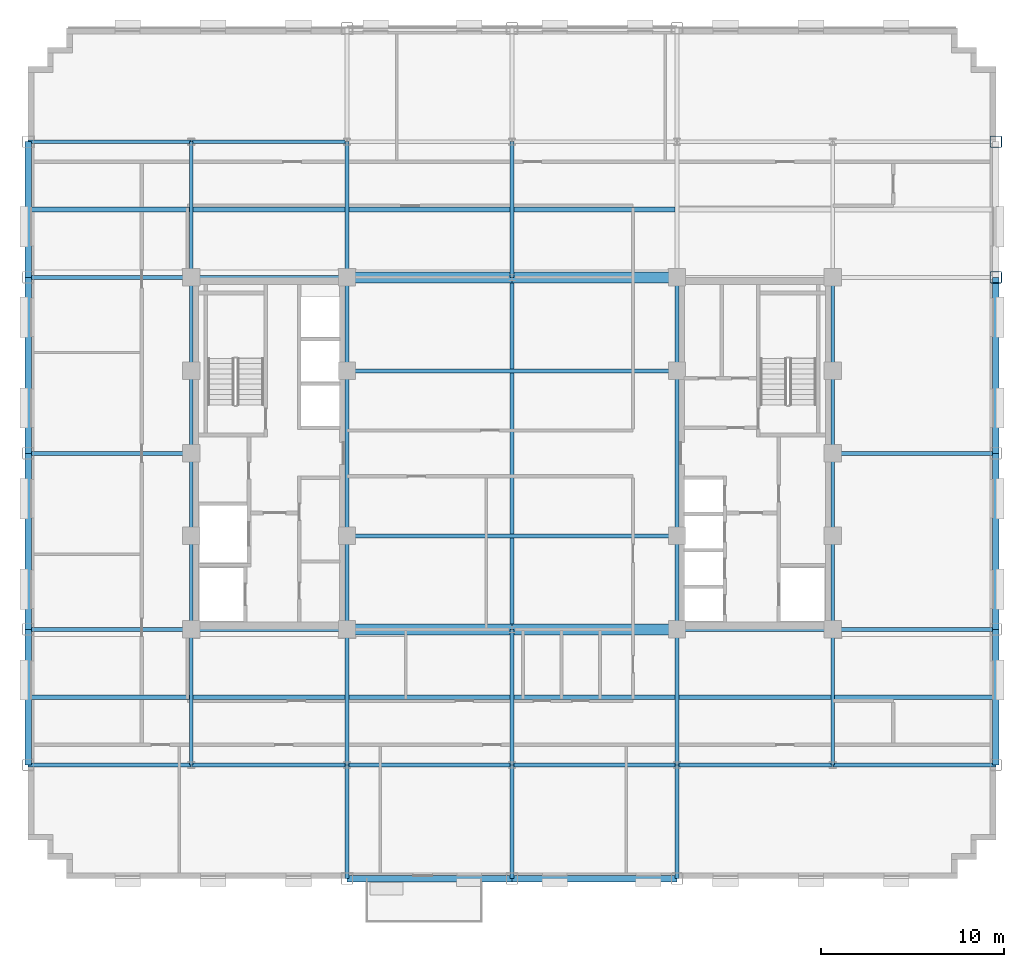
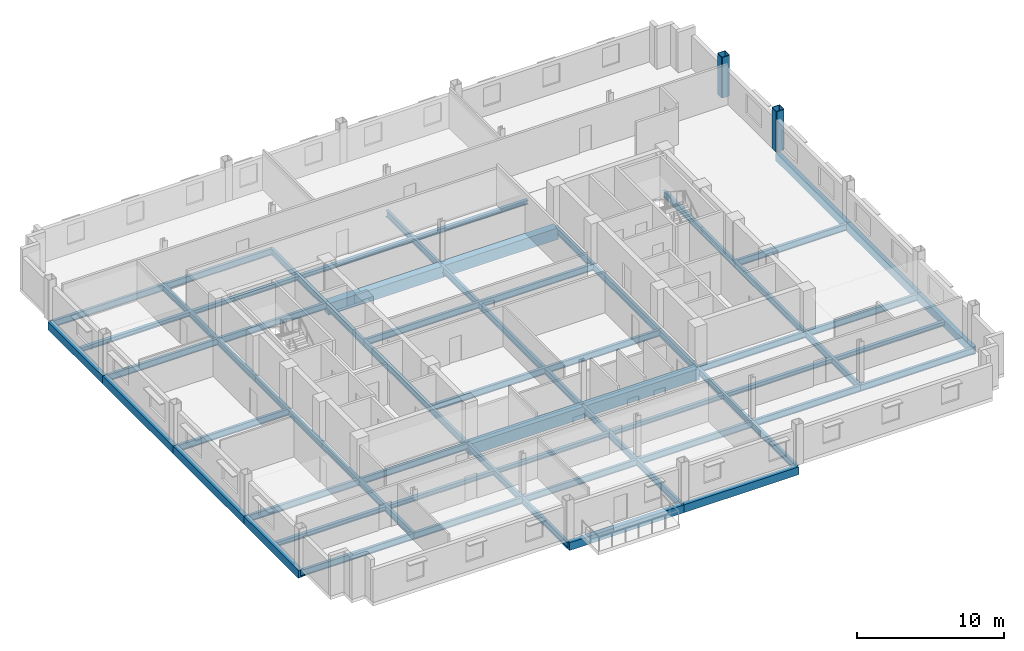
# One storey, part 4 of 13: 67 beams, 2 columns.
"""IFC4 building model written with IfcOpenShell, lengths in metres."""

from ifc_helpers import new_model, si_unit, direction, frame, origin, origin_2d, place, context, subcontext, project, spatial, rectangle, hollow_rectangle, i_section, extrude, material, material_profile, profile_set, type_object, element, save


model = new_model("IFC4")

# Units and contexts
model_context = context("Model", 3, precision=1e-05, world=origin(), true_north=direction((0.0, 1.0)))
body_context = subcontext(model_context, "Body", "Model", "MODEL_VIEW")
ifc_project = project(units=[si_unit("LENGTHUNIT", "METRE"), si_unit("AREAUNIT", "SQUARE_METRE"), si_unit("VOLUMEUNIT", "CUBIC_METRE"), si_unit("PLANEANGLEUNIT", "RADIAN"), si_unit("MASSUNIT", "GRAM", prefix="KILO")], contexts=[model_context])

# Site, building, storey
site_placement = place(None, origin())
site = spatial("IfcSite", under=ifc_project, at=site_placement, CompositionType="ELEMENT")
building_placement = place(site_placement, origin())
building = spatial("IfcBuilding", under=site, at=building_placement, Name="Nuvemarco Arch Tower", CompositionType="ELEMENT")
storey_placement = place(building_placement, frame((0.0, 0.0, 153.050048828125)))
storey = spatial("IfcBuildingStorey", under=building, at=storey_placement, Name="L40", CompositionType="ELEMENT", Elevation=153.050048828125)

# Columns
ifc_material_1 = material(Name="Steel S355", Category="steel")
ifc_material_profile_1 = material_profile(ifc_material_1, hollow_rectangle(XDim=0.64990234375, YDim=0.64990234375, WallThickness=0.0400390625, InnerFilletRadius=0.0400390625, OuterFilletRadius=0.080078125, at=origin_2d()), Name="SHS650x650x40")
ifc_profile_set_1 = profile_set([ifc_material_profile_1], Name="Steel S355")
column_type = type_object("IfcColumnType", Name="COL-EXO-650", PredefinedType="COLUMN", material=ifc_profile_set_1)
for number, where, z_axis, x_axis, name in (
    (1, (26.39990234375, 9.60009765625, 0.0), (0.0, 0.0, 1.0), (1.0, 0.0, 0.0), "L40 column CX_+26.4_+9.6"),
    (2, (26.39990234375, 17.0, 0.0), (0.0, 0.0, 1.0), (1.0, 0.0, 0.0), "L40 column CX_+26.4_+17.0"),
):
    element("IfcColumn", number, at=place(storey_placement, frame(where, z_axis=z_axis, x_axis=x_axis)), inside=storey, type_object=column_type, Name=name, PredefinedType="COLUMN", context=body_context, shape_type="SweptSolid", body=[
        extrude(hollow_rectangle(XDim=0.64990234375, YDim=0.64990234375, WallThickness=0.0400390625, InnerFilletRadius=0.0400390625, OuterFilletRadius=0.080078125, at=origin_2d()), origin(), (0.0, 0.0, 1.0), 3.369873046875),
    ])

# Beams
ifc_material_2 = material(Name="Concrete C60/75", Category="concrete")
ifc_material_profile_2 = material_profile(ifc_material_2, rectangle(XDim=0.60009765625, YDim=0.949951171875, at=origin_2d()), Name="RC-BM-600x950")
ifc_profile_set_2 = profile_set([ifc_material_profile_2], Name="Concrete C60/75")
beam_type_1 = type_object("IfcBeamType", Name="BM-COUP-RC", PredefinedType="LINTEL", material=ifc_profile_set_2)
for number, where, z_axis, x_axis, name in (
    (3, (-9.0, -9.60009765625, -0.755126953125), (1.0, 0.0, 0.0), (0.0, 1.0, 0.0), "L40 structural beam BGEW_L40_0_-9.6_-9.0"),
    (4, (0.0, -9.60009765625, -0.755126953125), (1.0, 0.0, 0.0), (0.0, 1.0, 0.0), "L40 structural beam BGEW_L40_0_-9.6_+0.0"),
    (5, (-9.0, 9.60009765625, -0.755126953125), (1.0, 0.0, 0.0), (0.0, 1.0, 0.0), "L40 structural beam BGEW_L40_0_+9.6_-9.0"),
    (6, (0.0, 9.60009765625, -0.755126953125), (1.0, 0.0, 0.0), (0.0, 1.0, 0.0), "L40 structural beam BGEW_L40_0_+9.6_+0.0"),
):
    element("IfcBeam", number, at=place(storey_placement, frame(where, z_axis=z_axis, x_axis=x_axis)), inside=storey, type_object=beam_type_1, Name=name, PredefinedType="LINTEL", context=body_context, shape_type="SweptSolid", body=[
        extrude(rectangle(XDim=0.60009765625, YDim=0.949951171875, at=origin_2d()), origin(), (0.0, 0.0, 1.0), 9.0),
    ])
ifc_material_profile_3 = material_profile(ifc_material_1, i_section(OverallWidth=0.2109375, OverallDepth=0.5390625, WebThickness=0.01171875, FlangeThickness=0.018798828125, FilletRadius=0.01611328125, at=origin_2d()), Name="W530x109")
ifc_profile_set_3 = profile_set([ifc_material_profile_3], Name="Steel S355")
beam_type_2 = type_object("IfcBeamType", Name="BM-GIRD-530", PredefinedType="BEAM", material=ifc_profile_set_3)
beam_1_placement = place(storey_placement, frame((-17.5, -17.0, -0.549560546875), z_axis=(0.0, 1.0, 0.0), x_axis=(-1.0, 0.0, 0.0)))
element("IfcBeam", 7, at=beam_1_placement, inside=storey, type_object=beam_type_2, Name="L40 structural beam BGNS_L40_0_-17.5_-17.0", PredefinedType="BEAM", context=body_context, shape_type="SweptSolid", body=[
    extrude(i_section(OverallWidth=0.2109375, OverallDepth=0.5390625, WebThickness=0.01171875, FlangeThickness=0.018798828125, FilletRadius=0.01611328125, at=origin_2d()), origin(), (0.0, 0.0, 1.0), 7.39990234375),
])
beam_2_placement = place(storey_placement, frame((-17.5, -9.60009765625, -0.549560546875), z_axis=(0.0, 1.0, 0.0), x_axis=(-1.0, 0.0, 0.0)))
element("IfcBeam", 8, at=beam_2_placement, inside=storey, type_object=beam_type_2, Name="L40 structural beam BGNS_L40_0_-17.5_-9.6", PredefinedType="BEAM", context=body_context, shape_type="SweptSolid", body=[
    extrude(i_section(OverallWidth=0.2109375, OverallDepth=0.5390625, WebThickness=0.01171875, FlangeThickness=0.018798828125, FilletRadius=0.01611328125, at=origin_2d()), origin(), (0.0, 0.0, 1.0), 5.10009765625),
])
for number, where, z_axis, x_axis, name in (
    (9, (-17.5, -4.5, -0.549560546875), (0.0, 1.0, 0.0), (-1.0, 0.0, 0.0), "L40 structural beam BGNS_L40_0_-17.5_-4.5"),
    (10, (-17.5, 0.0, -0.549560546875), (0.0, 1.0, 0.0), (-1.0, 0.0, 0.0), "L40 structural beam BGNS_L40_0_-17.5_+0.0"),
):
    element("IfcBeam", number, at=place(storey_placement, frame(where, z_axis=z_axis, x_axis=x_axis)), inside=storey, type_object=beam_type_2, Name=name, PredefinedType="BEAM", context=body_context, shape_type="SweptSolid", body=[
        extrude(i_section(OverallWidth=0.2109375, OverallDepth=0.5390625, WebThickness=0.01171875, FlangeThickness=0.018798828125, FilletRadius=0.01611328125, at=origin_2d()), origin(), (0.0, 0.0, 1.0), 4.5),
    ])
beam_3_placement = place(storey_placement, frame((-17.5, 4.5, -0.549560546875), z_axis=(0.0, 1.0, 0.0), x_axis=(-1.0, 0.0, 0.0)))
element("IfcBeam", 11, at=beam_3_placement, inside=storey, type_object=beam_type_2, Name="L40 structural beam BGNS_L40_0_-17.5_+4.5", PredefinedType="BEAM", context=body_context, shape_type="SweptSolid", body=[
    extrude(i_section(OverallWidth=0.2109375, OverallDepth=0.5390625, WebThickness=0.01171875, FlangeThickness=0.018798828125, FilletRadius=0.01611328125, at=origin_2d()), origin(), (0.0, 0.0, 1.0), 5.10009765625),
])
beam_4_placement = place(storey_placement, frame((-17.5, 9.60009765625, -0.549560546875), z_axis=(0.0, 1.0, 0.0), x_axis=(-1.0, 0.0, 0.0)))
element("IfcBeam", 12, at=beam_4_placement, inside=storey, type_object=beam_type_2, Name="L40 structural beam BGNS_L40_0_-17.5_+9.6", PredefinedType="BEAM", context=body_context, shape_type="SweptSolid", body=[
    extrude(i_section(OverallWidth=0.2109375, OverallDepth=0.5390625, WebThickness=0.01171875, FlangeThickness=0.018798828125, FilletRadius=0.01611328125, at=origin_2d()), origin(), (0.0, 0.0, 1.0), 7.39990234375),
])
beam_5_placement = place(storey_placement, frame((-9.0, -23.199951171875, -0.549560546875), z_axis=(0.0, 1.0, 0.0), x_axis=(-1.0, 0.0, 0.0)))
element("IfcBeam", 13, at=beam_5_placement, inside=storey, type_object=beam_type_2, Name="L40 structural beam BGNS_L40_0_-9.0_-23.2", PredefinedType="BEAM", context=body_context, shape_type="SweptSolid", body=[
    extrude(i_section(OverallWidth=0.2109375, OverallDepth=0.5390625, WebThickness=0.01171875, FlangeThickness=0.018798828125, FilletRadius=0.01611328125, at=origin_2d()), origin(), (0.0, 0.0, 1.0), 6.199951171875),
])
beam_6_placement = place(storey_placement, frame((-9.0, -17.0, -0.549560546875), z_axis=(0.0, 1.0, 0.0), x_axis=(-1.0, 0.0, 0.0)))
element("IfcBeam", 14, at=beam_6_placement, inside=storey, type_object=beam_type_2, Name="L40 structural beam BGNS_L40_0_-9.0_-17.0", PredefinedType="BEAM", context=body_context, shape_type="SweptSolid", body=[
    extrude(i_section(OverallWidth=0.2109375, OverallDepth=0.5390625, WebThickness=0.01171875, FlangeThickness=0.018798828125, FilletRadius=0.01611328125, at=origin_2d()), origin(), (0.0, 0.0, 1.0), 7.39990234375),
])
beam_7_placement = place(storey_placement, frame((-9.0, -9.60009765625, -0.549560546875), z_axis=(0.0, 1.0, 0.0), x_axis=(-1.0, 0.0, 0.0)))
element("IfcBeam", 15, at=beam_7_placement, inside=storey, type_object=beam_type_2, Name="L40 structural beam BGNS_L40_0_-9.0_-9.6", PredefinedType="BEAM", context=body_context, shape_type="SweptSolid", body=[
    extrude(i_section(OverallWidth=0.2109375, OverallDepth=0.5390625, WebThickness=0.01171875, FlangeThickness=0.018798828125, FilletRadius=0.01611328125, at=origin_2d()), origin(), (0.0, 0.0, 1.0), 5.10009765625),
])
beam_8_placement = place(storey_placement, frame((-9.0, -4.5, -0.549560546875), z_axis=(0.0, 1.0, 0.0), x_axis=(-1.0, 0.0, 0.0)))
element("IfcBeam", 16, at=beam_8_placement, inside=storey, type_object=beam_type_2, Name="L40 structural beam BGNS_L40_0_-9.0_-4.5", PredefinedType="BEAM", context=body_context, shape_type="SweptSolid", body=[
    extrude(i_section(OverallWidth=0.2109375, OverallDepth=0.5390625, WebThickness=0.01171875, FlangeThickness=0.018798828125, FilletRadius=0.01611328125, at=origin_2d()), origin(), (0.0, 0.0, 1.0), 9.0),
])
beam_9_placement = place(storey_placement, frame((-9.0, 4.5, -0.549560546875), z_axis=(0.0, 1.0, 0.0), x_axis=(-1.0, 0.0, 0.0)))
element("IfcBeam", 17, at=beam_9_placement, inside=storey, type_object=beam_type_2, Name="L40 structural beam BGNS_L40_0_-9.0_+4.5", PredefinedType="BEAM", context=body_context, shape_type="SweptSolid", body=[
    extrude(i_section(OverallWidth=0.2109375, OverallDepth=0.5390625, WebThickness=0.01171875, FlangeThickness=0.018798828125, FilletRadius=0.01611328125, at=origin_2d()), origin(), (0.0, 0.0, 1.0), 5.10009765625),
])
beam_10_placement = place(storey_placement, frame((-9.0, 9.60009765625, -0.549560546875), z_axis=(0.0, 1.0, 0.0), x_axis=(-1.0, 0.0, 0.0)))
element("IfcBeam", 18, at=beam_10_placement, inside=storey, type_object=beam_type_2, Name="L40 structural beam BGNS_L40_0_-9.0_+9.6", PredefinedType="BEAM", context=body_context, shape_type="SweptSolid", body=[
    extrude(i_section(OverallWidth=0.2109375, OverallDepth=0.5390625, WebThickness=0.01171875, FlangeThickness=0.018798828125, FilletRadius=0.01611328125, at=origin_2d()), origin(), (0.0, 0.0, 1.0), 7.39990234375),
])
beam_11_placement = place(storey_placement, frame((0.0, -23.199951171875, -0.549560546875), z_axis=(0.0, 1.0, 0.0), x_axis=(-1.0, 0.0, 0.0)))
element("IfcBeam", 19, at=beam_11_placement, inside=storey, type_object=beam_type_2, Name="L40 structural beam BGNS_L40_0_+0.0_-23.2", PredefinedType="BEAM", context=body_context, shape_type="SweptSolid", body=[
    extrude(i_section(OverallWidth=0.2109375, OverallDepth=0.5390625, WebThickness=0.01171875, FlangeThickness=0.018798828125, FilletRadius=0.01611328125, at=origin_2d()), origin(), (0.0, 0.0, 1.0), 6.199951171875),
])
beam_12_placement = place(storey_placement, frame((0.0, -17.0, -0.549560546875), z_axis=(0.0, 1.0, 0.0), x_axis=(-1.0, 0.0, 0.0)))
element("IfcBeam", 20, at=beam_12_placement, inside=storey, type_object=beam_type_2, Name="L40 structural beam BGNS_L40_0_+0.0_-17.0", PredefinedType="BEAM", context=body_context, shape_type="SweptSolid", body=[
    extrude(i_section(OverallWidth=0.2109375, OverallDepth=0.5390625, WebThickness=0.01171875, FlangeThickness=0.018798828125, FilletRadius=0.01611328125, at=origin_2d()), origin(), (0.0, 0.0, 1.0), 7.39990234375),
])
beam_13_placement = place(storey_placement, frame((0.0, -9.60009765625, -0.549560546875), z_axis=(0.0, 1.0, 0.0), x_axis=(-1.0, 0.0, 0.0)))
element("IfcBeam", 21, at=beam_13_placement, inside=storey, type_object=beam_type_2, Name="L40 structural beam BGNS_L40_0_+0.0_-9.6", PredefinedType="BEAM", context=body_context, shape_type="SweptSolid", body=[
    extrude(i_section(OverallWidth=0.2109375, OverallDepth=0.5390625, WebThickness=0.01171875, FlangeThickness=0.018798828125, FilletRadius=0.01611328125, at=origin_2d()), origin(), (0.0, 0.0, 1.0), 19.2001953125),
])
beam_14_placement = place(storey_placement, frame((0.0, 9.60009765625, -0.549560546875), z_axis=(0.0, 1.0, 0.0), x_axis=(-1.0, 0.0, 0.0)))
element("IfcBeam", 22, at=beam_14_placement, inside=storey, type_object=beam_type_2, Name="L40 structural beam BGNS_L40_0_+0.0_+9.6", PredefinedType="BEAM", context=body_context, shape_type="SweptSolid", body=[
    extrude(i_section(OverallWidth=0.2109375, OverallDepth=0.5390625, WebThickness=0.01171875, FlangeThickness=0.018798828125, FilletRadius=0.01611328125, at=origin_2d()), origin(), (0.0, 0.0, 1.0), 7.39990234375),
])
beam_15_placement = place(storey_placement, frame((9.0, -23.199951171875, -0.549560546875), z_axis=(0.0, 1.0, 0.0), x_axis=(-1.0, 0.0, 0.0)))
element("IfcBeam", 23, at=beam_15_placement, inside=storey, type_object=beam_type_2, Name="L40 structural beam BGNS_L40_0_+9.0_-23.2", PredefinedType="BEAM", context=body_context, shape_type="SweptSolid", body=[
    extrude(i_section(OverallWidth=0.2109375, OverallDepth=0.5390625, WebThickness=0.01171875, FlangeThickness=0.018798828125, FilletRadius=0.01611328125, at=origin_2d()), origin(), (0.0, 0.0, 1.0), 6.199951171875),
])
beam_16_placement = place(storey_placement, frame((9.0, -17.0, -0.549560546875), z_axis=(0.0, 1.0, 0.0), x_axis=(-1.0, 0.0, 0.0)))
element("IfcBeam", 24, at=beam_16_placement, inside=storey, type_object=beam_type_2, Name="L40 structural beam BGNS_L40_0_+9.0_-17.0", PredefinedType="BEAM", context=body_context, shape_type="SweptSolid", body=[
    extrude(i_section(OverallWidth=0.2109375, OverallDepth=0.5390625, WebThickness=0.01171875, FlangeThickness=0.018798828125, FilletRadius=0.01611328125, at=origin_2d()), origin(), (0.0, 0.0, 1.0), 7.39990234375),
])
beam_17_placement = place(storey_placement, frame((9.0, -9.60009765625, -0.549560546875), z_axis=(0.0, 1.0, 0.0), x_axis=(-1.0, 0.0, 0.0)))
element("IfcBeam", 25, at=beam_17_placement, inside=storey, type_object=beam_type_2, Name="L40 structural beam BGNS_L40_0_+9.0_-9.6", PredefinedType="BEAM", context=body_context, shape_type="SweptSolid", body=[
    extrude(i_section(OverallWidth=0.2109375, OverallDepth=0.5390625, WebThickness=0.01171875, FlangeThickness=0.018798828125, FilletRadius=0.01611328125, at=origin_2d()), origin(), (0.0, 0.0, 1.0), 5.10009765625),
])
beam_18_placement = place(storey_placement, frame((9.0, -4.5, -0.549560546875), z_axis=(0.0, 1.0, 0.0), x_axis=(-1.0, 0.0, 0.0)))
element("IfcBeam", 26, at=beam_18_placement, inside=storey, type_object=beam_type_2, Name="L40 structural beam BGNS_L40_0_+9.0_-4.5", PredefinedType="BEAM", context=body_context, shape_type="SweptSolid", body=[
    extrude(i_section(OverallWidth=0.2109375, OverallDepth=0.5390625, WebThickness=0.01171875, FlangeThickness=0.018798828125, FilletRadius=0.01611328125, at=origin_2d()), origin(), (0.0, 0.0, 1.0), 9.0),
])
beam_19_placement = place(storey_placement, frame((9.0, 4.5, -0.549560546875), z_axis=(0.0, 1.0, 0.0), x_axis=(-1.0, 0.0, 0.0)))
element("IfcBeam", 27, at=beam_19_placement, inside=storey, type_object=beam_type_2, Name="L40 structural beam BGNS_L40_0_+9.0_+4.5", PredefinedType="BEAM", context=body_context, shape_type="SweptSolid", body=[
    extrude(i_section(OverallWidth=0.2109375, OverallDepth=0.5390625, WebThickness=0.01171875, FlangeThickness=0.018798828125, FilletRadius=0.01611328125, at=origin_2d()), origin(), (0.0, 0.0, 1.0), 5.10009765625),
])
beam_20_placement = place(storey_placement, frame((17.5, -17.0, -0.549560546875), z_axis=(0.0, 1.0, 0.0), x_axis=(-1.0, 0.0, 0.0)))
element("IfcBeam", 28, at=beam_20_placement, inside=storey, type_object=beam_type_2, Name="L40 structural beam BGNS_L40_0_+17.5_-17.0", PredefinedType="BEAM", context=body_context, shape_type="SweptSolid", body=[
    extrude(i_section(OverallWidth=0.2109375, OverallDepth=0.5390625, WebThickness=0.01171875, FlangeThickness=0.018798828125, FilletRadius=0.01611328125, at=origin_2d()), origin(), (0.0, 0.0, 1.0), 7.39990234375),
])
beam_21_placement = place(storey_placement, frame((17.5, -9.60009765625, -0.549560546875), z_axis=(0.0, 1.0, 0.0), x_axis=(-1.0, 0.0, 0.0)))
element("IfcBeam", 29, at=beam_21_placement, inside=storey, type_object=beam_type_2, Name="L40 structural beam BGNS_L40_0_+17.5_-9.6", PredefinedType="BEAM", context=body_context, shape_type="SweptSolid", body=[
    extrude(i_section(OverallWidth=0.2109375, OverallDepth=0.5390625, WebThickness=0.01171875, FlangeThickness=0.018798828125, FilletRadius=0.01611328125, at=origin_2d()), origin(), (0.0, 0.0, 1.0), 5.10009765625),
])
for number, where, z_axis, x_axis, name in (
    (30, (17.5, -4.5, -0.549560546875), (0.0, 1.0, 0.0), (-1.0, 0.0, 0.0), "L40 structural beam BGNS_L40_0_+17.5_-4.5"),
    (31, (17.5, 0.0, -0.549560546875), (0.0, 1.0, 0.0), (-1.0, 0.0, 0.0), "L40 structural beam BGNS_L40_0_+17.5_+0.0"),
):
    element("IfcBeam", number, at=place(storey_placement, frame(where, z_axis=z_axis, x_axis=x_axis)), inside=storey, type_object=beam_type_2, Name=name, PredefinedType="BEAM", context=body_context, shape_type="SweptSolid", body=[
        extrude(i_section(OverallWidth=0.2109375, OverallDepth=0.5390625, WebThickness=0.01171875, FlangeThickness=0.018798828125, FilletRadius=0.01611328125, at=origin_2d()), origin(), (0.0, 0.0, 1.0), 4.5),
    ])
beam_22_placement = place(storey_placement, frame((17.5, 4.5, -0.549560546875), z_axis=(0.0, 1.0, 0.0), x_axis=(-1.0, 0.0, 0.0)))
element("IfcBeam", 32, at=beam_22_placement, inside=storey, type_object=beam_type_2, Name="L40 structural beam BGNS_L40_0_+17.5_+4.5", PredefinedType="BEAM", context=body_context, shape_type="SweptSolid", body=[
    extrude(i_section(OverallWidth=0.2109375, OverallDepth=0.5390625, WebThickness=0.01171875, FlangeThickness=0.018798828125, FilletRadius=0.01611328125, at=origin_2d()), origin(), (0.0, 0.0, 1.0), 5.10009765625),
])
beam_23_placement = place(storey_placement, frame((-26.39990234375, -17.0, -0.549560546875), z_axis=(1.0, 0.0, 0.0), x_axis=(0.0, 1.0, 0.0)))
element("IfcBeam", 33, at=beam_23_placement, inside=storey, type_object=beam_type_2, Name="L40 structural beam BGEW_L40_0_-17.0_-26.4", PredefinedType="BEAM", context=body_context, shape_type="SweptSolid", body=[
    extrude(i_section(OverallWidth=0.2109375, OverallDepth=0.5390625, WebThickness=0.01171875, FlangeThickness=0.018798828125, FilletRadius=0.01611328125, at=origin_2d()), origin(), (0.0, 0.0, 1.0), 8.89990234375),
])
beam_24_placement = place(storey_placement, frame((-17.5, -17.0, -0.549560546875), z_axis=(1.0, 0.0, 0.0), x_axis=(0.0, 1.0, 0.0)))
element("IfcBeam", 34, at=beam_24_placement, inside=storey, type_object=beam_type_2, Name="L40 structural beam BGEW_L40_0_-17.0_-17.5", PredefinedType="BEAM", context=body_context, shape_type="SweptSolid", body=[
    extrude(i_section(OverallWidth=0.2109375, OverallDepth=0.5390625, WebThickness=0.01171875, FlangeThickness=0.018798828125, FilletRadius=0.01611328125, at=origin_2d()), origin(), (0.0, 0.0, 1.0), 8.5),
])
for number, where, z_axis, x_axis, name in (
    (35, (-9.0, -17.0, -0.549560546875), (1.0, 0.0, 0.0), (0.0, 1.0, 0.0), "L40 structural beam BGEW_L40_0_-17.0_-9.0"),
    (36, (0.0, -17.0, -0.549560546875), (1.0, 0.0, 0.0), (0.0, 1.0, 0.0), "L40 structural beam BGEW_L40_0_-17.0_+0.0"),
):
    element("IfcBeam", number, at=place(storey_placement, frame(where, z_axis=z_axis, x_axis=x_axis)), inside=storey, type_object=beam_type_2, Name=name, PredefinedType="BEAM", context=body_context, shape_type="SweptSolid", body=[
        extrude(i_section(OverallWidth=0.2109375, OverallDepth=0.5390625, WebThickness=0.01171875, FlangeThickness=0.018798828125, FilletRadius=0.01611328125, at=origin_2d()), origin(), (0.0, 0.0, 1.0), 9.0),
    ])
beam_25_placement = place(storey_placement, frame((9.0, -17.0, -0.549560546875), z_axis=(1.0, 0.0, 0.0), x_axis=(0.0, 1.0, 0.0)))
element("IfcBeam", 37, at=beam_25_placement, inside=storey, type_object=beam_type_2, Name="L40 structural beam BGEW_L40_0_-17.0_+9.0", PredefinedType="BEAM", context=body_context, shape_type="SweptSolid", body=[
    extrude(i_section(OverallWidth=0.2109375, OverallDepth=0.5390625, WebThickness=0.01171875, FlangeThickness=0.018798828125, FilletRadius=0.01611328125, at=origin_2d()), origin(), (0.0, 0.0, 1.0), 8.5),
])
for number, where, z_axis, x_axis, name in (
    (38, (17.5, -17.0, -0.549560546875), (1.0, 0.0, 0.0), (0.0, 1.0, 0.0), "L40 structural beam BGEW_L40_0_-17.0_+17.5"),
    (39, (-26.39990234375, -9.60009765625, -0.549560546875), (1.0, 0.0, 0.0), (0.0, 1.0, 0.0), "L40 structural beam BGEW_L40_0_-9.6_-26.4"),
):
    element("IfcBeam", number, at=place(storey_placement, frame(where, z_axis=z_axis, x_axis=x_axis)), inside=storey, type_object=beam_type_2, Name=name, PredefinedType="BEAM", context=body_context, shape_type="SweptSolid", body=[
        extrude(i_section(OverallWidth=0.2109375, OverallDepth=0.5390625, WebThickness=0.01171875, FlangeThickness=0.018798828125, FilletRadius=0.01611328125, at=origin_2d()), origin(), (0.0, 0.0, 1.0), 8.89990234375),
    ])
for number, where, z_axis, x_axis, name in (
    (40, (-17.5, -9.60009765625, -0.549560546875), (1.0, 0.0, 0.0), (0.0, 1.0, 0.0), "L40 structural beam BGEW_L40_0_-9.6_-17.5"),
    (41, (9.0, -9.60009765625, -0.549560546875), (1.0, 0.0, 0.0), (0.0, 1.0, 0.0), "L40 structural beam BGEW_L40_0_-9.6_+9.0"),
):
    element("IfcBeam", number, at=place(storey_placement, frame(where, z_axis=z_axis, x_axis=x_axis)), inside=storey, type_object=beam_type_2, Name=name, PredefinedType="BEAM", context=body_context, shape_type="SweptSolid", body=[
        extrude(i_section(OverallWidth=0.2109375, OverallDepth=0.5390625, WebThickness=0.01171875, FlangeThickness=0.018798828125, FilletRadius=0.01611328125, at=origin_2d()), origin(), (0.0, 0.0, 1.0), 8.5),
    ])
beam_26_placement = place(storey_placement, frame((17.5, -9.60009765625, -0.549560546875), z_axis=(1.0, 0.0, 0.0), x_axis=(0.0, 1.0, 0.0)))
element("IfcBeam", 42, at=beam_26_placement, inside=storey, type_object=beam_type_2, Name="L40 structural beam BGEW_L40_0_-9.6_+17.5", PredefinedType="BEAM", context=body_context, shape_type="SweptSolid", body=[
    extrude(i_section(OverallWidth=0.2109375, OverallDepth=0.5390625, WebThickness=0.01171875, FlangeThickness=0.018798828125, FilletRadius=0.01611328125, at=origin_2d()), origin(), (0.0, 0.0, 1.0), 8.89990234375),
])
beam_27_placement = place(storey_placement, frame((-9.0, -4.5, -0.549560546875), z_axis=(1.0, 0.0, 0.0), x_axis=(0.0, 1.0, 0.0)))
element("IfcBeam", 43, at=beam_27_placement, inside=storey, type_object=beam_type_2, Name="L40 structural beam BGEW_L40_0_-4.5_-9.0", PredefinedType="BEAM", context=body_context, shape_type="SweptSolid", body=[
    extrude(i_section(OverallWidth=0.2109375, OverallDepth=0.5390625, WebThickness=0.01171875, FlangeThickness=0.018798828125, FilletRadius=0.01611328125, at=origin_2d()), origin(), (0.0, 0.0, 1.0), 18.0),
])
for number, where, z_axis, x_axis, name in (
    (44, (-26.39990234375, 0.0, -0.549560546875), (1.0, 0.0, 0.0), (0.0, 1.0, 0.0), "L40 structural beam BGEW_L40_0_+0.0_-26.4"),
    (45, (17.5, 0.0, -0.549560546875), (1.0, 0.0, 0.0), (0.0, 1.0, 0.0), "L40 structural beam BGEW_L40_0_+0.0_+17.5"),
):
    element("IfcBeam", number, at=place(storey_placement, frame(where, z_axis=z_axis, x_axis=x_axis)), inside=storey, type_object=beam_type_2, Name=name, PredefinedType="BEAM", context=body_context, shape_type="SweptSolid", body=[
        extrude(i_section(OverallWidth=0.2109375, OverallDepth=0.5390625, WebThickness=0.01171875, FlangeThickness=0.018798828125, FilletRadius=0.01611328125, at=origin_2d()), origin(), (0.0, 0.0, 1.0), 8.89990234375),
    ])
beam_28_placement = place(storey_placement, frame((-9.0, 4.5, -0.549560546875), z_axis=(1.0, 0.0, 0.0), x_axis=(0.0, 1.0, 0.0)))
element("IfcBeam", 46, at=beam_28_placement, inside=storey, type_object=beam_type_2, Name="L40 structural beam BGEW_L40_0_+4.5_-9.0", PredefinedType="BEAM", context=body_context, shape_type="SweptSolid", body=[
    extrude(i_section(OverallWidth=0.2109375, OverallDepth=0.5390625, WebThickness=0.01171875, FlangeThickness=0.018798828125, FilletRadius=0.01611328125, at=origin_2d()), origin(), (0.0, 0.0, 1.0), 18.0),
])
beam_29_placement = place(storey_placement, frame((-26.39990234375, 9.60009765625, -0.549560546875), z_axis=(1.0, 0.0, 0.0), x_axis=(0.0, 1.0, 0.0)))
element("IfcBeam", 47, at=beam_29_placement, inside=storey, type_object=beam_type_2, Name="L40 structural beam BGEW_L40_0_+9.6_-26.4", PredefinedType="BEAM", context=body_context, shape_type="SweptSolid", body=[
    extrude(i_section(OverallWidth=0.2109375, OverallDepth=0.5390625, WebThickness=0.01171875, FlangeThickness=0.018798828125, FilletRadius=0.01611328125, at=origin_2d()), origin(), (0.0, 0.0, 1.0), 8.89990234375),
])
beam_30_placement = place(storey_placement, frame((-17.5, 9.60009765625, -0.549560546875), z_axis=(1.0, 0.0, 0.0), x_axis=(0.0, 1.0, 0.0)))
element("IfcBeam", 48, at=beam_30_placement, inside=storey, type_object=beam_type_2, Name="L40 structural beam BGEW_L40_0_+9.6_-17.5", PredefinedType="BEAM", context=body_context, shape_type="SweptSolid", body=[
    extrude(i_section(OverallWidth=0.2109375, OverallDepth=0.5390625, WebThickness=0.01171875, FlangeThickness=0.018798828125, FilletRadius=0.01611328125, at=origin_2d()), origin(), (0.0, 0.0, 1.0), 8.5),
])
beam_31_placement = place(storey_placement, frame((-26.39990234375, 17.0, -0.549560546875), z_axis=(1.0, 0.0, 0.0), x_axis=(0.0, 1.0, 0.0)))
element("IfcBeam", 49, at=beam_31_placement, inside=storey, type_object=beam_type_2, Name="L40 structural beam BGEW_L40_0_+17.0_-26.4", PredefinedType="BEAM", context=body_context, shape_type="SweptSolid", body=[
    extrude(i_section(OverallWidth=0.2109375, OverallDepth=0.5390625, WebThickness=0.01171875, FlangeThickness=0.018798828125, FilletRadius=0.01611328125, at=origin_2d()), origin(), (0.0, 0.0, 1.0), 8.89990234375),
])
beam_32_placement = place(storey_placement, frame((-17.5, 17.0, -0.549560546875), z_axis=(1.0, 0.0, 0.0), x_axis=(0.0, 1.0, 0.0)))
element("IfcBeam", 50, at=beam_32_placement, inside=storey, type_object=beam_type_2, Name="L40 structural beam BGEW_L40_0_+17.0_-17.5", PredefinedType="BEAM", context=body_context, shape_type="SweptSolid", body=[
    extrude(i_section(OverallWidth=0.2109375, OverallDepth=0.5390625, WebThickness=0.01171875, FlangeThickness=0.018798828125, FilletRadius=0.01611328125, at=origin_2d()), origin(), (0.0, 0.0, 1.0), 8.5),
])
ifc_material_profile_4 = material_profile(ifc_material_1, i_section(OverallWidth=0.2548828125, OverallDepth=0.35693359375, WebThickness=0.010498046875, FlangeThickness=0.018310546875, FilletRadius=0.014892578125, at=origin_2d()), Name="W360x101")
ifc_profile_set_4 = profile_set([ifc_material_profile_4], Name="Steel S355")
beam_type_3 = type_object("IfcBeamType", Name="BM-JOIST-360H", PredefinedType="JOIST", material=ifc_profile_set_4)
beam_33_placement = place(storey_placement, frame((-26.22509765625, -13.300048828125, -0.45849609375), z_axis=(1.0, 0.0, 0.0), x_axis=(0.0, 1.0, 0.0)))
element("IfcBeam", 51, at=beam_33_placement, inside=storey, type_object=beam_type_3, Name="L40 structural beam BJ_L40_0_-13.3_-26.4", PredefinedType="JOIST", context=body_context, shape_type="SweptSolid", body=[
    extrude(i_section(OverallWidth=0.2548828125, OverallDepth=0.35693359375, WebThickness=0.010498046875, FlangeThickness=0.018310546875, FilletRadius=0.014892578125, at=origin_2d()), origin(), (0.0, 0.0, 1.0), 8.61962890625),
])
beam_34_placement = place(storey_placement, frame((-17.39453125, -13.300048828125, -0.45849609375), z_axis=(1.0, 0.0, 0.0), x_axis=(0.0, 1.0, 0.0)))
element("IfcBeam", 52, at=beam_34_placement, inside=storey, type_object=beam_type_3, Name="L40 structural beam BJ_L40_0_-13.3_-17.5", PredefinedType="JOIST", context=body_context, shape_type="SweptSolid", body=[
    extrude(i_section(OverallWidth=0.2548828125, OverallDepth=0.35693359375, WebThickness=0.010498046875, FlangeThickness=0.018310546875, FilletRadius=0.014892578125, at=origin_2d()), origin(), (0.0, 0.0, 1.0), 8.2890625),
])
for number, where, z_axis, x_axis, name in (
    (53, (-8.89453125, -13.300048828125, -0.45849609375), (1.0, 0.0, 0.0), (0.0, 1.0, 0.0), "L40 structural beam BJ_L40_0_-13.3_-9.0"),
    (54, (0.10546875, -13.300048828125, -0.45849609375), (1.0, 0.0, 0.0), (0.0, 1.0, 0.0), "L40 structural beam BJ_L40_0_-13.3_+0.0"),
):
    element("IfcBeam", number, at=place(storey_placement, frame(where, z_axis=z_axis, x_axis=x_axis)), inside=storey, type_object=beam_type_3, Name=name, PredefinedType="JOIST", context=body_context, shape_type="SweptSolid", body=[
        extrude(i_section(OverallWidth=0.2548828125, OverallDepth=0.35693359375, WebThickness=0.010498046875, FlangeThickness=0.018310546875, FilletRadius=0.014892578125, at=origin_2d()), origin(), (0.0, 0.0, 1.0), 8.7890625),
    ])
beam_35_placement = place(storey_placement, frame((9.10546875, -13.300048828125, -0.45849609375), z_axis=(1.0, 0.0, 0.0), x_axis=(0.0, 1.0, 0.0)))
element("IfcBeam", 55, at=beam_35_placement, inside=storey, type_object=beam_type_3, Name="L40 structural beam BJ_L40_0_-13.3_+9.0", PredefinedType="JOIST", context=body_context, shape_type="SweptSolid", body=[
    extrude(i_section(OverallWidth=0.2548828125, OverallDepth=0.35693359375, WebThickness=0.010498046875, FlangeThickness=0.018310546875, FilletRadius=0.014892578125, at=origin_2d()), origin(), (0.0, 0.0, 1.0), 8.2890625),
])
for number, where, z_axis, x_axis, name in (
    (56, (17.60546875, -13.300048828125, -0.45849609375), (1.0, 0.0, 0.0), (0.0, 1.0, 0.0), "L40 structural beam BJ_L40_0_-13.3_+17.5"),
    (57, (-26.22509765625, 13.300048828125, -0.45849609375), (1.0, 0.0, 0.0), (0.0, 1.0, 0.0), "L40 structural beam BJ_L40_0_+13.3_-26.4"),
):
    element("IfcBeam", number, at=place(storey_placement, frame(where, z_axis=z_axis, x_axis=x_axis)), inside=storey, type_object=beam_type_3, Name=name, PredefinedType="JOIST", context=body_context, shape_type="SweptSolid", body=[
        extrude(i_section(OverallWidth=0.2548828125, OverallDepth=0.35693359375, WebThickness=0.010498046875, FlangeThickness=0.018310546875, FilletRadius=0.014892578125, at=origin_2d()), origin(), (0.0, 0.0, 1.0), 8.61962890625),
    ])
beam_36_placement = place(storey_placement, frame((-17.39453125, 13.300048828125, -0.45849609375), z_axis=(1.0, 0.0, 0.0), x_axis=(0.0, 1.0, 0.0)))
element("IfcBeam", 58, at=beam_36_placement, inside=storey, type_object=beam_type_3, Name="L40 structural beam BJ_L40_0_+13.3_-17.5", PredefinedType="JOIST", context=body_context, shape_type="SweptSolid", body=[
    extrude(i_section(OverallWidth=0.2548828125, OverallDepth=0.35693359375, WebThickness=0.010498046875, FlangeThickness=0.018310546875, FilletRadius=0.014892578125, at=origin_2d()), origin(), (0.0, 0.0, 1.0), 8.2890625),
])
for number, where, z_axis, x_axis, name in (
    (59, (-8.89453125, 13.300048828125, -0.45849609375), (1.0, 0.0, 0.0), (0.0, 1.0, 0.0), "L40 structural beam BJ_L40_0_+13.3_-9.0"),
    (60, (0.10546875, 13.300048828125, -0.45849609375), (1.0, 0.0, 0.0), (0.0, 1.0, 0.0), "L40 structural beam BJ_L40_0_+13.3_+0.0"),
):
    element("IfcBeam", number, at=place(storey_placement, frame(where, z_axis=z_axis, x_axis=x_axis)), inside=storey, type_object=beam_type_3, Name=name, PredefinedType="JOIST", context=body_context, shape_type="SweptSolid", body=[
        extrude(i_section(OverallWidth=0.2548828125, OverallDepth=0.35693359375, WebThickness=0.010498046875, FlangeThickness=0.018310546875, FilletRadius=0.014892578125, at=origin_2d()), origin(), (0.0, 0.0, 1.0), 8.7890625),
    ])
ifc_material_3 = material(Name="Precast concrete C45/55", Category="concrete")
ifc_material_profile_5 = material_profile(ifc_material_3, rectangle(XDim=0.35009765625, YDim=0.64990234375, at=origin_2d()), Name="PC-SP-350x650")
ifc_profile_set_5 = profile_set([ifc_material_profile_5], Name="Precast concrete C45/55")
beam_type_4 = type_object("IfcBeamType", Name="BM-SPAN-RC", PredefinedType="SPANDREL", material=ifc_profile_set_5)
beam_37_placement = place(storey_placement, frame((-26.39990234375, -17.0, -0.60498046875), z_axis=(0.0, 1.0, 0.0), x_axis=(-1.0, 0.0, 0.0)))
element("IfcBeam", 61, at=beam_37_placement, inside=storey, type_object=beam_type_4, Name="L40 structural beam BGNS_L40_0_-26.4_-17.0", PredefinedType="SPANDREL", context=body_context, shape_type="SweptSolid", body=[
    extrude(rectangle(XDim=0.35009765625, YDim=0.64990234375, at=origin_2d()), origin(), (0.0, 0.0, 1.0), 7.39990234375),
])
for number, where, z_axis, x_axis, name in (
    (62, (-26.39990234375, -9.60009765625, -0.60498046875), (0.0, 1.0, 0.0), (-1.0, 0.0, 0.0), "L40 structural beam BGNS_L40_0_-26.4_-9.6"),
    (63, (-26.39990234375, 0.0, -0.60498046875), (0.0, 1.0, 0.0), (-1.0, 0.0, 0.0), "L40 structural beam BGNS_L40_0_-26.4_+0.0"),
):
    element("IfcBeam", number, at=place(storey_placement, frame(where, z_axis=z_axis, x_axis=x_axis)), inside=storey, type_object=beam_type_4, Name=name, PredefinedType="SPANDREL", context=body_context, shape_type="SweptSolid", body=[
        extrude(rectangle(XDim=0.35009765625, YDim=0.64990234375, at=origin_2d()), origin(), (0.0, 0.0, 1.0), 9.60009765625),
    ])
for number, where, z_axis, x_axis, name in (
    (64, (-26.39990234375, 9.60009765625, -0.60498046875), (0.0, 1.0, 0.0), (-1.0, 0.0, 0.0), "L40 structural beam BGNS_L40_0_-26.4_+9.6"),
    (65, (26.39990234375, -17.0, -0.60498046875), (0.0, 1.0, 0.0), (-1.0, 0.0, 0.0), "L40 structural beam BGNS_L40_0_+26.4_-17.0"),
):
    element("IfcBeam", number, at=place(storey_placement, frame(where, z_axis=z_axis, x_axis=x_axis)), inside=storey, type_object=beam_type_4, Name=name, PredefinedType="SPANDREL", context=body_context, shape_type="SweptSolid", body=[
        extrude(rectangle(XDim=0.35009765625, YDim=0.64990234375, at=origin_2d()), origin(), (0.0, 0.0, 1.0), 7.39990234375),
    ])
for number, where, z_axis, x_axis, name in (
    (66, (26.39990234375, -9.60009765625, -0.60498046875), (0.0, 1.0, 0.0), (-1.0, 0.0, 0.0), "L40 structural beam BGNS_L40_0_+26.4_-9.6"),
    (67, (26.39990234375, 0.0, -0.60498046875), (0.0, 1.0, 0.0), (-1.0, 0.0, 0.0), "L40 structural beam BGNS_L40_0_+26.4_+0.0"),
):
    element("IfcBeam", number, at=place(storey_placement, frame(where, z_axis=z_axis, x_axis=x_axis)), inside=storey, type_object=beam_type_4, Name=name, PredefinedType="SPANDREL", context=body_context, shape_type="SweptSolid", body=[
        extrude(rectangle(XDim=0.35009765625, YDim=0.64990234375, at=origin_2d()), origin(), (0.0, 0.0, 1.0), 9.60009765625),
    ])
for number, where, z_axis, x_axis, name in (
    (68, (-9.0, -23.199951171875, -0.60498046875), (1.0, 0.0, 0.0), (0.0, 1.0, 0.0), "L40 structural beam BGEW_L40_0_-23.2_-9.0"),
    (69, (0.0, -23.199951171875, -0.60498046875), (1.0, 0.0, 0.0), (0.0, 1.0, 0.0), "L40 structural beam BGEW_L40_0_-23.2_+0.0"),
):
    element("IfcBeam", number, at=place(storey_placement, frame(where, z_axis=z_axis, x_axis=x_axis)), inside=storey, type_object=beam_type_4, Name=name, PredefinedType="SPANDREL", context=body_context, shape_type="SweptSolid", body=[
        extrude(rectangle(XDim=0.35009765625, YDim=0.64990234375, at=origin_2d()), origin(), (0.0, 0.0, 1.0), 9.0),
    ])

save(model, "model.ifc")
